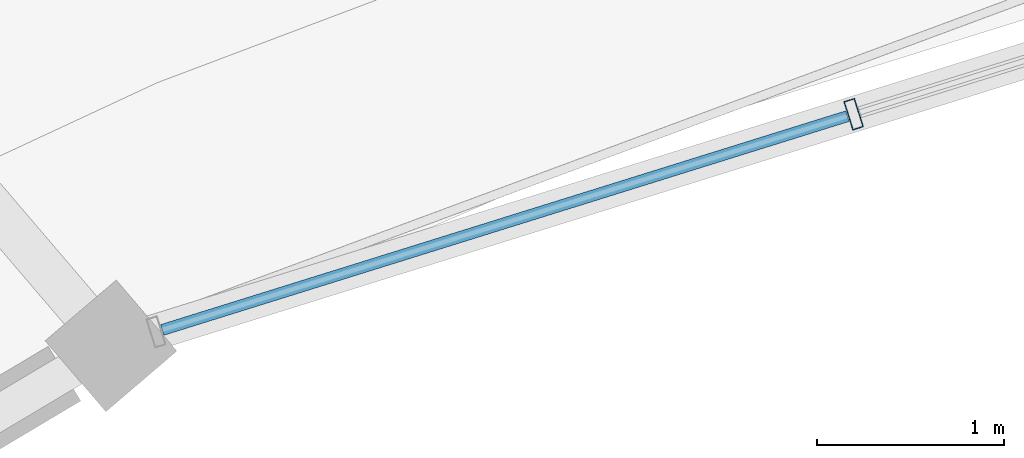
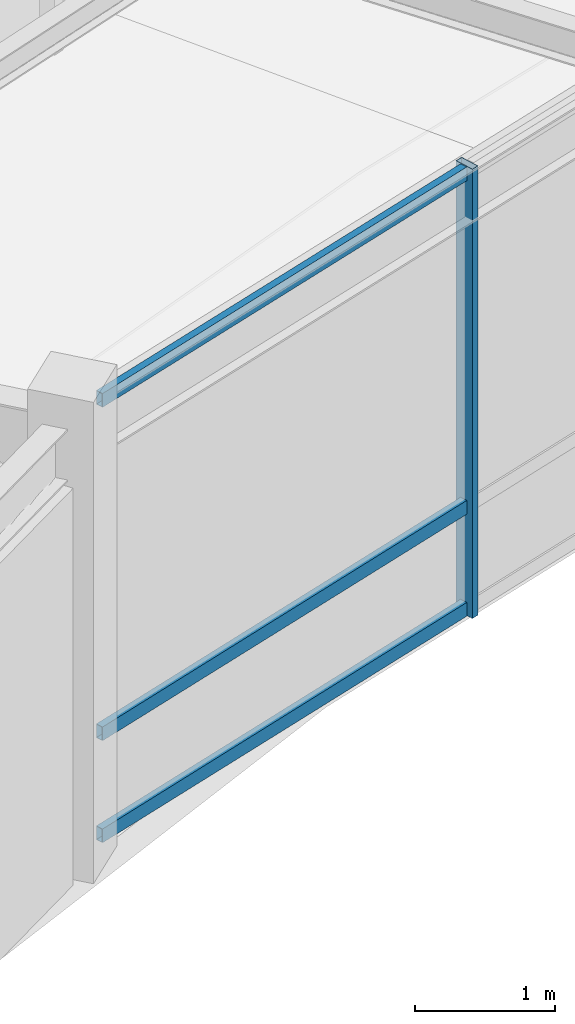
# One storey, part 28 of 78: 4 members, 1 element without a shape of its own.
"""IFC4 building model written with IfcOpenShell, lengths in metres."""

import ifcopenshell
import ifcopenshell.guid

model = None  # the IFC model being written
_history = None  # IfcOwnerHistory: only IFC2X3 demands one
_inside = {}  # id of a spatial element -> (the spatial element, [elements in it])
_under = {}  # id of a project, library or spatial element -> (it, [spatial elements below it])
_declared = {}  # id of a project -> (the project, [libraries it declares])
_typed = {}  # id of a type object -> (the type object, [elements of that type])
_made_of = {}  # id of a material, layer set ... -> (it, [elements and type objects made of it])


def new_model(schema):
    """Start an empty IFC model of exactly this schema.

    Asked for "IFC4X3", IfcOpenShell would pick the latest addendum, in which some entities
    have other attributes; the version numbers below select the first issue.
    IFC2X3 requires an IfcOwnerHistory on every rooted entity: one is made here for all.
    """
    global model, _history
    if schema == "IFC4X3":
        model = ifcopenshell.file(schema_version=(4, 3, 0, 0))
    else:
        model = ifcopenshell.file(schema=schema)
    _inside.clear()
    _under.clear()
    _declared.clear()
    _typed.clear()
    _made_of.clear()
    _history = None
    if model.schema == "IFC2X3":
        org = make("IfcOrganization", Name="unknown")
        user = make(
            "IfcPersonAndOrganization",
            ThePerson=make("IfcPerson", FamilyName="unknown"),
            TheOrganization=org,
        )
        app = make(
            "IfcApplication",
            ApplicationDeveloper=org,
            Version="unknown",
            ApplicationFullName="unknown",
            ApplicationIdentifier="unknown",
        )
        _history = make(
            "IfcOwnerHistory",
            OwningUser=user,
            OwningApplication=app,
            ChangeAction="ADDED",
            CreationDate=0,
        )
    return model


def make(cls, **values):
    """One entity of the class cls with the attributes given. An attribute that is None is left unset."""
    return model.create_entity(
        cls, **{name: value for name, value in values.items() if value is not None}
    )


def rooted(cls, **values):
    """An entity with a GlobalId (a new one), such as an element, a storey or a relation."""
    return make(cls, GlobalId=ifcopenshell.guid.new(), OwnerHistory=_history, **values)


def si_unit(unit_type, name, prefix=None):
    """IfcSIUnit, for example si_unit("LENGTHUNIT", "METRE", prefix="MILLI")."""
    return make("IfcSIUnit", UnitType=unit_type, Prefix=prefix, Name=name)


def assignment(units):
    """IfcUnitAssignment: the units of a project."""
    return None if units is None else make("IfcUnitAssignment", Units=units)


def point(xyz):
    """IfcCartesianPoint."""
    return None if xyz is None else make("IfcCartesianPoint", Coordinates=xyz)


def direction(xyz):
    """IfcDirection."""
    return None if xyz is None else make("IfcDirection", DirectionRatios=xyz)


def frame(location, z_axis=None, x_axis=None):
    """IfcAxis2Placement3D, a coordinate frame: its origin and axes. An axis left out is left unset."""
    return make(
        "IfcAxis2Placement3D",
        Location=point(location),
        Axis=direction(z_axis),
        RefDirection=direction(x_axis),
    )


def frame_2d(location, x_axis=None):
    """IfcAxis2Placement2D, a coordinate frame in the plane: its origin and x axis."""
    return make(
        "IfcAxis2Placement2D", Location=point(location), RefDirection=direction(x_axis)
    )


def origin():
    """The frame at (0, 0, 0) with its axes left unset."""
    return frame((0.0, 0.0, 0.0))


def origin_2d():
    """The frame at (0, 0) in the plane with its x axis left unset."""
    return frame_2d((0.0, 0.0))


def place(relative_to, where):
    """IfcLocalPlacement: puts the frame where relative to a parent placement (None: the world)."""
    return make(
        "IfcLocalPlacement", PlacementRelTo=relative_to, RelativePlacement=where
    )


def context(
    kind, dimensions, precision=None, world=None, true_north=None, identifier=None
):
    """IfcGeometricRepresentationContext, for example the 3D "Model" context."""
    return make(
        "IfcGeometricRepresentationContext",
        ContextIdentifier=identifier,
        ContextType=kind,
        CoordinateSpaceDimension=dimensions,
        Precision=precision,
        WorldCoordinateSystem=world,
        TrueNorth=true_north,
    )


def subcontext(parent, identifier, kind, view, scale=None):
    """IfcGeometricRepresentationSubContext, for example "Body" below "Model"."""
    return make(
        "IfcGeometricRepresentationSubContext",
        ContextIdentifier=identifier,
        ContextType=kind,
        ParentContext=parent,
        TargetScale=scale,
        TargetView=view,
    )


def project(units=None, contexts=None):
    """IfcProject with its units and contexts."""
    return rooted(
        "IfcProject",
        Name="project",
        RepresentationContexts=contexts,
        UnitsInContext=assignment(units),
    )


def spatial(cls, under=None, at=None, **own):
    """A site, building, storey or space (cls), placed at a placement, below another one or the project."""
    s = rooted(cls, ObjectPlacement=at, **own)
    if under is not None:
        _under.setdefault(under.id(), (under, []))[1].append(s)
    return s


def profile(cls, at=None, kind="AREA", **sizes):
    """A parametric profile (cls). Its sizes go by their IFC names, for example OverallWidth=200.0."""
    return make(cls, ProfileType=kind, Position=at, **sizes)


def hollow_rectangle(**sizes):
    """IfcRectangleHollowProfileDef."""
    return profile("IfcRectangleHollowProfileDef", **sizes)


def extrude(swept, where, along, depth):
    """IfcExtrudedAreaSolid: the profile swept, set in the frame where, extruded along a direction by depth."""
    return make(
        "IfcExtrudedAreaSolid",
        SweptArea=swept,
        Position=where,
        ExtrudedDirection=direction(along),
        Depth=depth,
    )


def shape(context_of_items, identifier, shape_type, items):
    """IfcShapeRepresentation: the items that make up one representation, for example the "Body"."""
    return make(
        "IfcShapeRepresentation",
        ContextOfItems=context_of_items,
        RepresentationIdentifier=identifier,
        RepresentationType=shape_type,
        Items=items,
    )


def material(Name=None, Category=None):
    """IfcMaterial."""
    return make("IfcMaterial", Name=Name, Category=Category)


def material_profile(
    of_material, cross_section, Name=None, Category=None, Priority=None
):
    """IfcMaterialProfile: a cross section and its material."""
    return make(
        "IfcMaterialProfile",
        Name=Name,
        Material=of_material,
        Profile=cross_section,
        Priority=Priority,
        Category=Category,
    )


def profile_set(profiles, Name=None, composite=None):
    """IfcMaterialProfileSet."""
    return make(
        "IfcMaterialProfileSet",
        Name=Name,
        MaterialProfiles=profiles,
        CompositeProfile=composite,
    )


def made_of(thing, what):
    """Note that an element or type object is made of a material, layer set ...; save() writes the relation."""
    if what is not None:
        _made_of.setdefault(what.id(), (what, []))[1].append(thing)
    return thing


def type_object(cls, material=None, **own):
    """A type object (cls), such as IfcWallType, which elements share."""
    return made_of(rooted(cls, **own), material)


def element(
    cls,
    number,
    at=None,
    inside=None,
    cuts=None,
    type_object=None,
    material=None,
    context=None,
    identifier="Body",
    shape_type=None,
    held_by="IfcProductDefinitionShape",
    body=None,
    shapes=None,
    **own,
):
    """One element of the class cls, such as IfcWall. Its Tag is "e" and its number.

    at: its placement. inside: the storey or other place that contains it. cuts: it is an
    opening in that element (IfcRelVoidsElement). A single representation is given by context,
    identifier, shape_type and body (its items); several are given by shapes. held_by: the class
    of the entity that holds the representations. save() writes the other relations.
    """
    e = rooted(cls, Tag="e%d" % number, ObjectPlacement=at, **own)
    if body is not None:
        shapes = [shape(context, identifier, shape_type, body)]
    if shapes is not None:
        e.Representation = make(held_by, Representations=shapes)
    if inside is not None:
        _inside.setdefault(inside.id(), (inside, []))[1].append(e)
    if cuts is not None:
        rooted(
            "IfcRelVoidsElement", RelatingBuildingElement=cuts, RelatedOpeningElement=e
        )
    if type_object is not None:
        _typed.setdefault(type_object.id(), (type_object, []))[1].append(e)
    return made_of(e, material)


def aggregate(whole, parts):
    """IfcRelAggregates: a whole, such as a stair, and the parts it consists of."""
    return rooted("IfcRelAggregates", RelatingObject=whole, RelatedObjects=parts)


def save(model, path):
    """Write the relations noted so far, then the file.

    IfcRelAggregates (storeys below a building ...), IfcRelContainedInSpatialStructure (elements
    in a storey), IfcRelDefinesByType, IfcRelAssociatesMaterial and IfcRelDeclares: one each for
    every whole, place, type object, material and project.
    """
    for whole, parts in _under.values():
        aggregate(whole, parts)
    for where, things in _inside.values():
        rooted(
            "IfcRelContainedInSpatialStructure",
            RelatedElements=things,
            RelatingStructure=where,
        )
    for kind, things in _typed.values():
        rooted("IfcRelDefinesByType", RelatedObjects=things, RelatingType=kind)
    for what, things in _made_of.values():
        rooted("IfcRelAssociatesMaterial", RelatedObjects=things, RelatingMaterial=what)
    for by, libraries in _declared.values():
        rooted("IfcRelDeclares", RelatingContext=by, RelatedDefinitions=libraries)
    model.write(path)


model = new_model("IFC4")

# Units and contexts
model_context = context("Model", 3, precision=1e-05, world=origin(), true_north=direction((0.0, 1.0)))
body_context = subcontext(model_context, "Body", "Model", "MODEL_VIEW")
ifc_project = project(units=[si_unit("LENGTHUNIT", "METRE"), si_unit("AREAUNIT", "SQUARE_METRE"), si_unit("VOLUMEUNIT", "CUBIC_METRE"), si_unit("PLANEANGLEUNIT", "RADIAN"), si_unit("MASSUNIT", "GRAM", prefix="KILO"), si_unit("THERMODYNAMICTEMPERATUREUNIT", "KELVIN"), si_unit("POWERUNIT", "WATT")], contexts=[model_context])

# Site, building, storey
site_placement = place(None, origin())
site = spatial("IfcSite", under=ifc_project, at=site_placement, CompositionType="ELEMENT")
building_placement = place(site_placement, origin())
building = spatial("IfcBuilding", under=site, at=building_placement, Name="Darbajah Civic Hall", CompositionType="ELEMENT")
storey_placement = place(building_placement, frame((0.0, 0.0, 26.39990234375)))
storey = spatial("IfcBuildingStorey", under=building, at=storey_placement, Name="L06", CompositionType="ELEMENT", Elevation=26.39990234375)

# Curtain wall, members
ifc_material_1 = material(Name="Anodised Bronze Aluminium and Low-E Glazing", Category="aluminium")
curtain_wall_type = type_object("IfcCurtainWallType", Name="Unitised Curtain Wall CW-67 11700x3900", PredefinedType="USERDEFINED", material=ifc_material_1)
curtain_wall_placement = place(storey_placement, origin())
curtain_wall = element("IfcCurtainWall", 1, at=curtain_wall_placement, inside=storey, type_object=curtain_wall_type, Name="L06 unitised curtain wall CW-V1I-L06-06", ObjectType="UNITISED CURTAIN WALL", PredefinedType="USERDEFINED")
ifc_material_2 = material(Name="Anodised Bronze Aluminium", Category="aluminium")
ifc_material_profile_1 = material_profile(ifc_material_2, hollow_rectangle(XDim=0.06005859375, YDim=0.159912109375, WallThickness=0.00341796875, at=origin_2d()), Name="ALU MULLION 60x160")
ifc_profile_set_1 = profile_set([ifc_material_profile_1], Name="Anodised Bronze Aluminium")
member_type_1 = type_object("IfcMemberType", Name="ALU MULLION 60x160", PredefinedType="MULLION", material=ifc_profile_set_1)
member_1_placement = place(storey_placement, frame((64.629150390625, 107.997314453125, 0.0), z_axis=(0.0, 0.0, 1.0), x_axis=(-0.954604963513, -0.297874744877, 0.0)))
member_1 = element("IfcMember", 2, at=member_1_placement, type_object=member_type_1, Name="CW-V1I-L06-06 mullion 3", PredefinedType="MULLION", context=body_context, shape_type="SweptSolid", body=[
    extrude(hollow_rectangle(XDim=0.06005859375, YDim=0.159912109375, WallThickness=0.00341796875, at=origin_2d()), origin(), (0.0, 0.0, 1.0), 3.920166015625),
])
ifc_material_profile_2 = material_profile(ifc_material_2, hollow_rectangle(XDim=0.06005859375, YDim=0.1201171875, WallThickness=0.003173828125, at=origin_2d()), Name="ALU TRANSOM 60x120")
ifc_profile_set_2 = profile_set([ifc_material_profile_2], Name="Anodised Bronze Aluminium")
member_type_2 = type_object("IfcMemberType", Name="ALU TRANSOM 60x120", PredefinedType="USERDEFINED", material=ifc_profile_set_2)
member_2_placement = place(storey_placement, frame((64.595703125, 107.98681640625, 0.06005859375), z_axis=(-0.954613310059, -0.297847995223, 0.0), x_axis=(0.297847995223, -0.954613310059, 0.0)))
member_2 = element("IfcMember", 3, at=member_2_placement, type_object=member_type_2, Name="CW-V1I-L06-06 transom 3.1", ObjectType="TRANSOM", PredefinedType="USERDEFINED", context=body_context, shape_type="SweptSolid", body=[
    extrude(hollow_rectangle(XDim=0.06005859375, YDim=0.1201171875, WallThickness=0.003173828125, at=origin_2d()), origin(), (0.0, 0.0, 1.0), 3.841796875),
])
member_3_placement = place(storey_placement, frame((64.595703125, 107.98681640625, 0.9501953125), z_axis=(-0.954613310059, -0.297847995223, 0.0), x_axis=(0.297847995223, -0.954613310059, 0.0)))
member_3 = element("IfcMember", 4, at=member_3_placement, type_object=member_type_2, Name="CW-V1I-L06-06 transom 3.2", ObjectType="TRANSOM", PredefinedType="USERDEFINED", context=body_context, shape_type="SweptSolid", body=[
    extrude(hollow_rectangle(XDim=0.06005859375, YDim=0.1201171875, WallThickness=0.003173828125, at=origin_2d()), origin(), (0.0, 0.0, 1.0), 3.841796875),
])
member_4_placement = place(storey_placement, frame((64.595703125, 107.98681640625, 3.860107421875), z_axis=(-0.954613310059, -0.297847995223, 0.0), x_axis=(0.297847995223, -0.954613310059, 0.0)))
member_4 = element("IfcMember", 5, at=member_4_placement, type_object=member_type_2, Name="CW-V1I-L06-06 transom 3.3", ObjectType="TRANSOM", PredefinedType="USERDEFINED", context=body_context, shape_type="SweptSolid", body=[
    extrude(hollow_rectangle(XDim=0.06005859375, YDim=0.1201171875, WallThickness=0.003173828125, at=origin_2d()), origin(), (0.0, 0.0, 1.0), 3.841796875),
])
aggregate(curtain_wall, [member_1, member_2, member_3, member_4])

save(model, "model.ifc")
